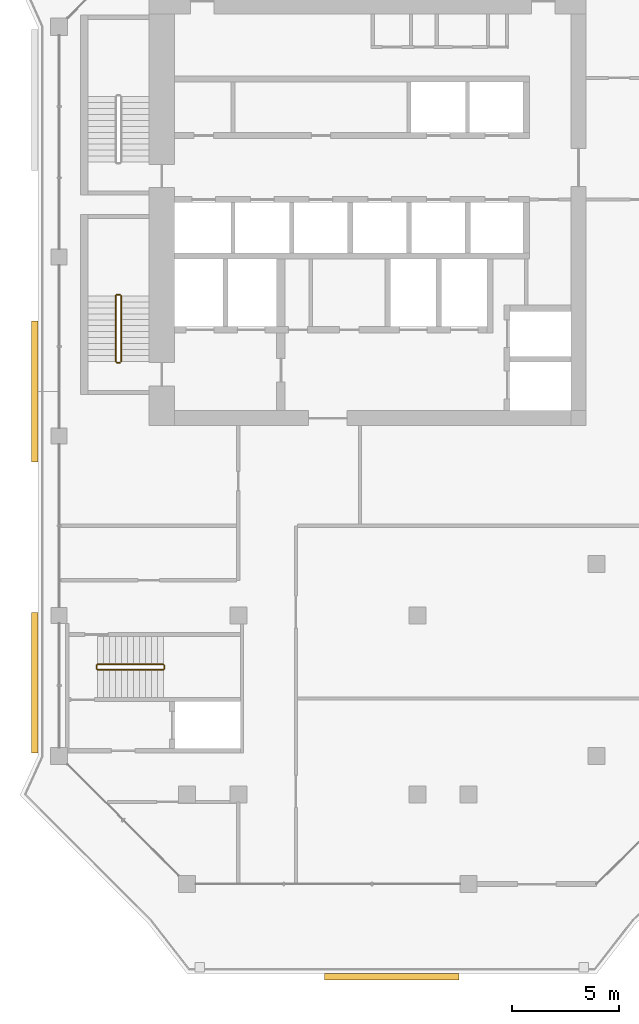
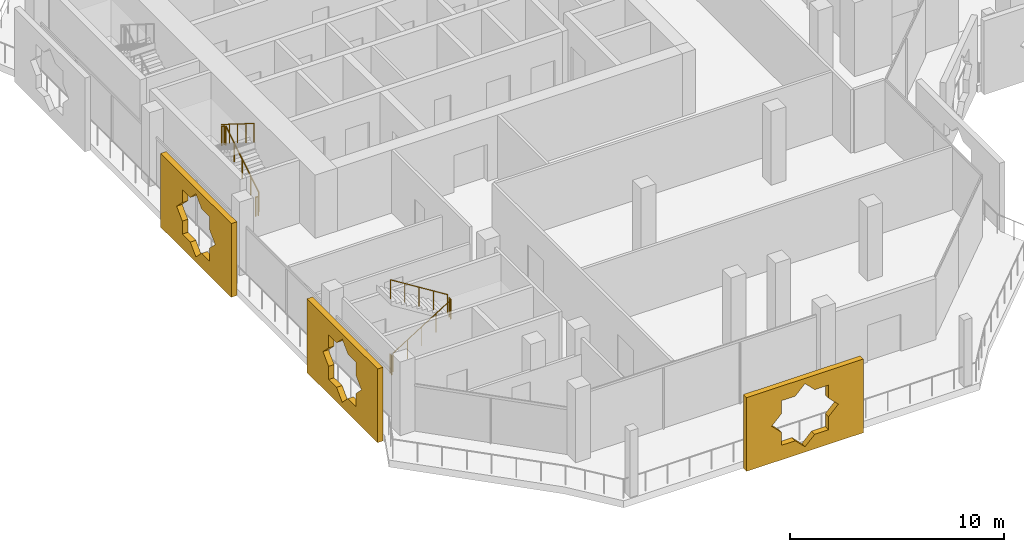
# One storey, part 15 of 20: 8 railings, 3 coverings.
"""IFC4 building model written with IfcOpenShell, lengths in metres."""

from ifc_helpers import new_model, si_unit, direction, frame, origin, origin_2d, place, context, subcontext, project, spatial, polyline, circle, outline, extrude, material, material_profile, profile_set, type_object, element, save


model = new_model("IFC4")

# Units and contexts
model_context = context("Model", 3, precision=1e-05, world=origin(), true_north=direction((0.0, 1.0)))
body_context = subcontext(model_context, "Body", "Model", "MODEL_VIEW")
ifc_project = project(units=[si_unit("LENGTHUNIT", "METRE"), si_unit("AREAUNIT", "SQUARE_METRE"), si_unit("VOLUMEUNIT", "CUBIC_METRE"), si_unit("PLANEANGLEUNIT", "RADIAN"), si_unit("MASSUNIT", "GRAM", prefix="KILO")], contexts=[model_context])

# Site, building, storey
site_placement = place(None, origin())
site = spatial("IfcSite", under=ifc_project, at=site_placement, CompositionType="ELEMENT")
building_placement = place(site_placement, origin())
building = spatial("IfcBuilding", under=site, at=building_placement, Name="Kawkab Arch Medical Tower", CompositionType="ELEMENT")
storey_placement = place(building_placement, frame((0.0, 0.0, 277.60009765625)))
storey = spatial("IfcBuildingStorey", under=building, at=storey_placement, Name="L64", CompositionType="ELEMENT", Elevation=277.60009765625)

# Coverings
ifc_material_1 = material(Name="Bronze anodised aluminium mashrabiya panel, eight-point star pattern", Category="aluminium")
ifc_material_profile_1 = material_profile(ifc_material_1, outline(polyline([(-3.14990234375, -2.10009765625), (3.14990234375, -2.10009765625), (3.14990234375, 2.10009765625), (-3.14990234375, 2.10009765625), (-3.14990234375, -2.10009765625)]), holes=[polyline([(1.800048828125, 0.0), (1.272705078125, 0.527099609375), (1.272705078125, 1.272705078125), (0.527099609375, 1.272705078125), (0.0, 1.800048828125), (-0.527099609375, 1.272705078125), (-1.272705078125, 1.272705078125), (-1.272705078125, 0.527099609375), (-1.800048828125, 0.0), (-1.272705078125, -0.527099609375), (-1.272705078125, -1.272705078125), (-0.527099609375, -1.272705078125), (0.0, -1.800048828125), (0.527099609375, -1.272705078125), (1.272705078125, -1.272705078125), (1.272705078125, -0.527099609375), (1.800048828125, 0.0)])]), Name="Mashrabiya panel 6300x4200")
ifc_profile_set_1 = profile_set([ifc_material_profile_1], Name="Bronze anodised aluminium mashrabiya panel, eight-point star pattern")
covering_type_1 = type_object("IfcCoveringType", Name="Mashrabiya panel 6300 x 4200", PredefinedType="USERDEFINED", material=ifc_profile_set_1)
covering_placement = place(storey_placement, frame((15.60009765625, -50.39990234375, 1.699951171875), z_axis=(0.0, -1.0, 0.0), x_axis=(1.0, 0.0, 0.0)))
element("IfcCovering", 1, at=covering_placement, inside=storey, type_object=covering_type_1, Name="Mashrabiya panel L64.LOG-01-01.4", ObjectType="SCREEN", PredefinedType="USERDEFINED", context=body_context, shape_type="SweptSolid", body=[
    extrude(outline(polyline([(-3.14990234375, -2.10009765625), (3.14990234375, -2.10009765625), (3.14990234375, 2.10009765625), (-3.14990234375, 2.10009765625), (-3.14990234375, -2.10009765625)]), holes=[polyline([(1.800048828125, 0.0), (1.272705078125, 0.527099609375), (1.272705078125, 1.272705078125), (0.527099609375, 1.272705078125), (0.0, 1.800048828125), (-0.527099609375, 1.272705078125), (-1.272705078125, 1.272705078125), (-1.272705078125, 0.527099609375), (-1.800048828125, 0.0), (-1.272705078125, -0.527099609375), (-1.272705078125, -1.272705078125), (-0.527099609375, -1.272705078125), (0.0, -1.800048828125), (0.527099609375, -1.272705078125), (1.272705078125, -1.272705078125), (1.272705078125, -0.527099609375), (1.800048828125, 0.0)])]), origin(), (0.0, 0.0, 1.0), 0.300048828125),
])
ifc_material_2 = material(Name="Bronze anodised aluminium mashrabiya panel, eight-point star pattern", Category="aluminium")
ifc_material_profile_2 = material_profile(ifc_material_2, outline(polyline([(-3.300048828125, -2.10009765625), (3.300048828125, -2.10009765625), (3.300048828125, 2.10009765625), (-3.300048828125, 2.10009765625), (-3.300048828125, -2.10009765625)]), holes=[polyline([(1.800048828125, 0.0), (1.272705078125, 0.527099609375), (1.272705078125, 1.272705078125), (0.527099609375, 1.272705078125), (0.0, 1.800048828125), (-0.527099609375, 1.272705078125), (-1.272705078125, 1.272705078125), (-1.272705078125, 0.527099609375), (-1.800048828125, 0.0), (-1.272705078125, -0.527099609375), (-1.272705078125, -1.272705078125), (-0.527099609375, -1.272705078125), (0.0, -1.800048828125), (0.527099609375, -1.272705078125), (1.272705078125, -1.272705078125), (1.272705078125, -0.527099609375), (1.800048828125, 0.0)])]), Name="Mashrabiya panel 6600x4200")
ifc_profile_set_2 = profile_set([ifc_material_profile_2], Name="Bronze anodised aluminium mashrabiya panel, eight-point star pattern")
covering_type_2 = type_object("IfcCoveringType", Name="Mashrabiya panel 6600 x 4200", PredefinedType="USERDEFINED", material=ifc_profile_set_2)
for number, where, z_axis, x_axis, name in (
    (2, (-1.0, -36.76171875, 1.699951171875), (-1.0, 0.0, 0.0), (0.0, -1.0, 0.0), "Mashrabiya panel L64.LOG-01-01.5"),
    (3, (-1.0, -23.10009765625, 1.699951171875), (-1.0, 0.0, 0.0), (0.0, -1.0, 0.0), "Mashrabiya panel L64.LOG-01-01.6"),
):
    element("IfcCovering", number, at=place(storey_placement, frame(where, z_axis=z_axis, x_axis=x_axis)), inside=storey, type_object=covering_type_2, Name=name, ObjectType="SCREEN", PredefinedType="USERDEFINED", context=body_context, shape_type="SweptSolid", body=[
        extrude(outline(polyline([(-3.300048828125, -2.10009765625), (3.300048828125, -2.10009765625), (3.300048828125, 2.10009765625), (-3.300048828125, 2.10009765625), (-3.300048828125, -2.10009765625)]), holes=[polyline([(1.800048828125, 0.0), (1.272705078125, 0.527099609375), (1.272705078125, 1.272705078125), (0.527099609375, 1.272705078125), (0.0, 1.800048828125), (-0.527099609375, 1.272705078125), (-1.272705078125, 1.272705078125), (-1.272705078125, 0.527099609375), (-1.800048828125, 0.0), (-1.272705078125, -0.527099609375), (-1.272705078125, -1.272705078125), (-0.527099609375, -1.272705078125), (0.0, -1.800048828125), (0.527099609375, -1.272705078125), (1.272705078125, -1.272705078125), (1.272705078125, -0.527099609375), (1.800048828125, 0.0)])]), origin(), (0.0, 0.0, 1.0), 0.300048828125),
    ])

# Railings
ifc_material_3 = material(Name="Stainless steel", Category="steel")
railing_type = type_object("IfcRailingType", Name="Stair guard 1100", PredefinedType="GUARDRAIL", material=ifc_material_3)
railing_1_placement = place(storey_placement, frame((2.89990234375, -21.699951171875, 0.1748046875)))
element("IfcRailing", 4, at=railing_1_placement, inside=storey, type_object=railing_type, Name="L64 ST2 stair guard 1", PredefinedType="GUARDRAIL", context=body_context, shape_type="SweptSolid", body=[
    extrude(circle(Radius=0.02392578125, at=origin_2d()), frame((0.0, 0.0, 1.076171875), z_axis=(0.0, 0.847979421464, 0.530029150871), x_axis=(-1.0, 0.0, 0.0)), (0.0, 0.0, 1.0), 3.632080078125),
    extrude(circle(Radius=0.02099609375, at=origin_2d()), origin(), (0.0, 0.0, 1.0), 1.052001953125),
    extrude(circle(Radius=0.02099609375, at=origin_2d()), frame((0.0, 0.77001953125, 0.481201171875)), (0.0, 0.0, 1.0), 1.052001953125),
    extrude(circle(Radius=0.02099609375, at=origin_2d()), frame((0.0, 1.5400390625, 0.96240234375)), (0.0, 0.0, 1.0), 1.052001953125),
    extrude(circle(Radius=0.02099609375, at=origin_2d()), frame((0.0, 2.309814453125, 1.44384765625)), (0.0, 0.0, 1.0), 1.052001953125),
    extrude(circle(Radius=0.02099609375, at=origin_2d()), frame((0.0, 3.079833984375, 1.925048828125)), (0.0, 0.0, 1.0), 1.052001953125),
])
railing_2_placement = place(storey_placement, frame((2.85009765625, -18.570068359375, 2.099853515625)))
element("IfcRailing", 5, at=railing_2_placement, inside=storey, type_object=railing_type, Name="L64 ST2 stair guard 2", PredefinedType="GUARDRAIL", context=body_context, shape_type="SweptSolid", body=[
    extrude(circle(Radius=0.02392578125, at=origin_2d()), frame((0.0, 0.0, 1.076171875), z_axis=(-1.0, 0.0, 0.0), x_axis=(0.0, -1.0, 0.0)), (0.0, 0.0, 1.0), 0.150146484375),
    extrude(circle(Radius=0.02099609375, at=origin_2d()), origin(), (0.0, 0.0, 1.0), 1.052001953125),
    extrude(circle(Radius=0.02099609375, at=origin_2d()), frame((-0.150146484375, 0.0, 0.0)), (0.0, 0.0, 1.0), 1.052001953125),
])
railing_3_placement = place(storey_placement, frame((2.64990234375, -18.6201171875, 2.27490234375)))
element("IfcRailing", 6, at=railing_3_placement, inside=storey, type_object=railing_type, Name="L64 ST2 stair guard 3", PredefinedType="GUARDRAIL", context=body_context, shape_type="SweptSolid", body=[
    extrude(circle(Radius=0.02392578125, at=origin_2d()), frame((0.0, 0.0, 1.076171875), z_axis=(0.0, -0.847979421464, 0.530029150871), x_axis=(1.0, 0.0, 0.0)), (0.0, 0.0, 1.0), 3.632080078125),
    extrude(circle(Radius=0.02099609375, at=origin_2d()), origin(), (0.0, 0.0, 1.0), 1.052001953125),
    extrude(circle(Radius=0.02099609375, at=origin_2d()), frame((0.0, -0.77001953125, 0.481201171875)), (0.0, 0.0, 1.0), 1.052001953125),
    extrude(circle(Radius=0.02099609375, at=origin_2d()), frame((0.0, -1.5400390625, 0.96240234375)), (0.0, 0.0, 1.0), 1.052001953125),
    extrude(circle(Radius=0.02099609375, at=origin_2d()), frame((0.0, -2.309814453125, 1.44384765625)), (0.0, 0.0, 1.0), 1.052001953125),
    extrude(circle(Radius=0.02099609375, at=origin_2d()), frame((0.0, -3.079833984375, 1.925048828125)), (0.0, 0.0, 1.0), 1.052001953125),
])
railing_4_placement = place(storey_placement, frame((2.85009765625, -21.75, 0.0)))
element("IfcRailing", 7, at=railing_4_placement, inside=storey, type_object=railing_type, Name="L64 ST2 stair guard 4", PredefinedType="GUARDRAIL", context=body_context, shape_type="SweptSolid", body=[
    extrude(circle(Radius=0.02392578125, at=origin_2d()), frame((0.0, 0.0, 1.076171875), z_axis=(-1.0, 0.0, 0.0), x_axis=(0.0, -1.0, 0.0)), (0.0, 0.0, 1.0), 0.150146484375),
    extrude(circle(Radius=0.02099609375, at=origin_2d()), origin(), (0.0, 0.0, 1.0), 1.052001953125),
    extrude(circle(Radius=0.02099609375, at=origin_2d()), frame((-0.150146484375, 0.0, 0.0)), (0.0, 0.0, 1.0), 1.052001953125),
])
railing_5_placement = place(storey_placement, frame((1.800048828125, -36.14990234375, 0.1748046875)))
element("IfcRailing", 8, at=railing_5_placement, inside=storey, type_object=railing_type, Name="L64 ST6 stair guard 1", PredefinedType="GUARDRAIL", context=body_context, shape_type="SweptSolid", body=[
    extrude(circle(Radius=0.02392578125, at=origin_2d()), frame((0.0, 0.0, 1.076171875), z_axis=(0.847979421464, 0.0, 0.530029150871), x_axis=(0.0, 1.0, 0.0)), (0.0, 0.0, 1.0), 3.632080078125),
    extrude(circle(Radius=0.02099609375, at=origin_2d()), origin(), (0.0, 0.0, 1.0), 1.052001953125),
    extrude(circle(Radius=0.02099609375, at=origin_2d()), frame((0.77001953125, 0.0, 0.481201171875)), (0.0, 0.0, 1.0), 1.052001953125),
    extrude(circle(Radius=0.02099609375, at=origin_2d()), frame((1.5400390625, 0.0, 0.96240234375)), (0.0, 0.0, 1.0), 1.052001953125),
    extrude(circle(Radius=0.02099609375, at=origin_2d()), frame((2.309814453125, 0.0, 1.44384765625)), (0.0, 0.0, 1.0), 1.052001953125),
    extrude(circle(Radius=0.02099609375, at=origin_2d()), frame((3.079833984375, 0.0, 1.925048828125)), (0.0, 0.0, 1.0), 1.052001953125),
])
railing_6_placement = place(storey_placement, frame((4.929931640625, -36.10009765625, 2.099853515625)))
element("IfcRailing", 9, at=railing_6_placement, inside=storey, type_object=railing_type, Name="L64 ST6 stair guard 2", PredefinedType="GUARDRAIL", context=body_context, shape_type="SweptSolid", body=[
    extrude(circle(Radius=0.02392578125, at=origin_2d()), frame((0.0, 0.0, 1.076171875), z_axis=(0.0, 1.0, 0.0), x_axis=(-1.0, 0.0, 0.0)), (0.0, 0.0, 1.0), 0.150146484375),
    extrude(circle(Radius=0.02099609375, at=origin_2d()), origin(), (0.0, 0.0, 1.0), 1.052001953125),
    extrude(circle(Radius=0.02099609375, at=origin_2d()), frame((0.0, 0.150146484375, 0.0)), (0.0, 0.0, 1.0), 1.052001953125),
])
railing_7_placement = place(storey_placement, frame((4.8798828125, -35.89990234375, 2.27490234375)))
element("IfcRailing", 10, at=railing_7_placement, inside=storey, type_object=railing_type, Name="L64 ST6 stair guard 3", PredefinedType="GUARDRAIL", context=body_context, shape_type="SweptSolid", body=[
    extrude(circle(Radius=0.02392578125, at=origin_2d()), frame((0.0, 0.0, 1.076171875), z_axis=(-0.847979421464, 0.0, 0.530029150871), x_axis=(0.0, -1.0, 0.0)), (0.0, 0.0, 1.0), 3.632080078125),
    extrude(circle(Radius=0.02099609375, at=origin_2d()), origin(), (0.0, 0.0, 1.0), 1.052001953125),
    extrude(circle(Radius=0.02099609375, at=origin_2d()), frame((-0.77001953125, 0.0, 0.481201171875)), (0.0, 0.0, 1.0), 1.052001953125),
    extrude(circle(Radius=0.02099609375, at=origin_2d()), frame((-1.5400390625, 0.0, 0.96240234375)), (0.0, 0.0, 1.0), 1.052001953125),
    extrude(circle(Radius=0.02099609375, at=origin_2d()), frame((-2.309814453125, 0.0, 1.44384765625)), (0.0, 0.0, 1.0), 1.052001953125),
    extrude(circle(Radius=0.02099609375, at=origin_2d()), frame((-3.079833984375, 0.0, 1.925048828125)), (0.0, 0.0, 1.0), 1.052001953125),
])
railing_8_placement = place(storey_placement, frame((1.75, -36.10009765625, 0.0)))
element("IfcRailing", 11, at=railing_8_placement, inside=storey, type_object=railing_type, Name="L64 ST6 stair guard 4", PredefinedType="GUARDRAIL", context=body_context, shape_type="SweptSolid", body=[
    extrude(circle(Radius=0.02392578125, at=origin_2d()), frame((0.0, 0.0, 1.076171875), z_axis=(0.0, 1.0, 0.0), x_axis=(-1.0, 0.0, 0.0)), (0.0, 0.0, 1.0), 0.150146484375),
    extrude(circle(Radius=0.02099609375, at=origin_2d()), origin(), (0.0, 0.0, 1.0), 1.052001953125),
    extrude(circle(Radius=0.02099609375, at=origin_2d()), frame((0.0, 0.150146484375, 0.0)), (0.0, 0.0, 1.0), 1.052001953125),
])

save(model, "model.ifc")
